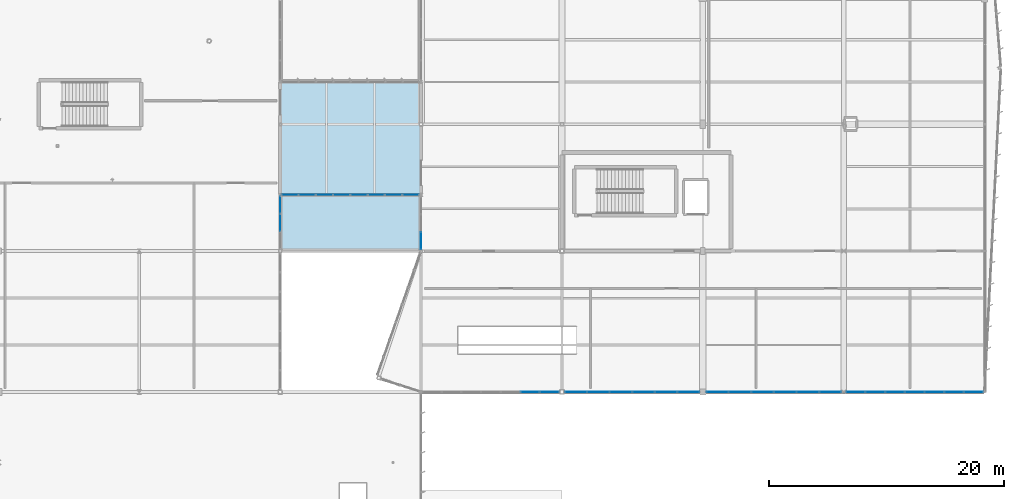
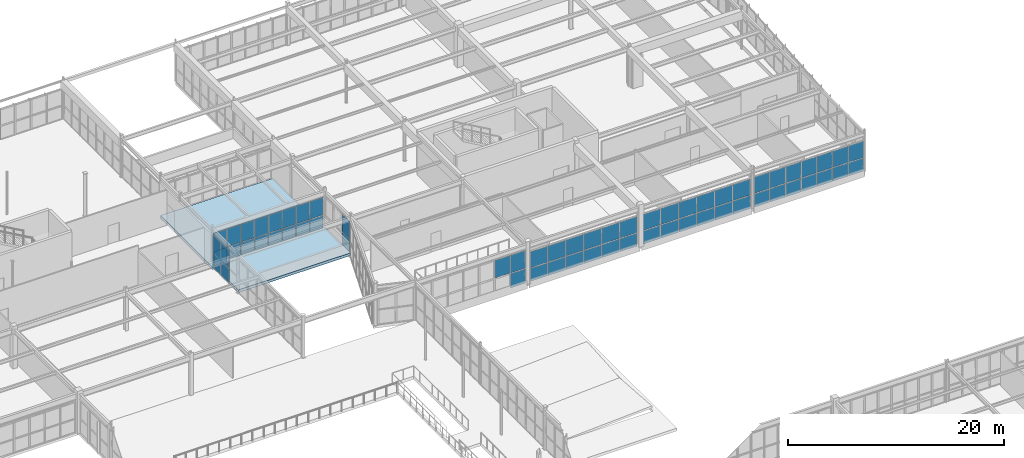
# One storey, part 149 of 226: 63 plates, 2 slabs, 7 elements without a shape of their own.
"""IFC4 building model written with IfcOpenShell, lengths in metres."""

from ifc_helpers import new_model, si_unit, direction, frame, origin, origin_2d, place, context, subcontext, project, spatial, polyline, rectangle, outline, extrude, material, layer, layer_set, type_object, element, aggregate, save


model = new_model("IFC4")

# Units and contexts
model_context = context("Model", 3, precision=1e-05, world=origin(), true_north=direction((0.0, 1.0)))
body_context = subcontext(model_context, "Body", "Model", "MODEL_VIEW")
ifc_project = project(units=[si_unit("LENGTHUNIT", "METRE"), si_unit("AREAUNIT", "SQUARE_METRE"), si_unit("VOLUMEUNIT", "CUBIC_METRE"), si_unit("PLANEANGLEUNIT", "RADIAN"), si_unit("MASSUNIT", "GRAM", prefix="KILO")], contexts=[model_context])

# Site, building, storey
site_placement = place(None, origin())
site = spatial("IfcSite", under=ifc_project, at=site_placement, CompositionType="ELEMENT")
building_placement = place(site_placement, origin())
building = spatial("IfcBuilding", under=site, at=building_placement, Name="Tarnwether General Hospital", CompositionType="ELEMENT")
storey_placement = place(building_placement, frame((0.0, 0.0, 4.800048828125)))
storey = spatial("IfcBuildingStorey", under=building, at=storey_placement, Name="L01", CompositionType="ELEMENT", Elevation=4.800048828125)

# Curtain wall, plates
ifc_material_1 = material(Name="Anodised aluminium", Category="aluminium")
ifc_layer_1 = layer(ifc_material_1, 0.159912109375)
ifc_layer_set_1 = layer_set([ifc_layer_1], Name="Anodised aluminium")
curtain_wall_type_1 = type_object("IfcCurtainWallType", Name="CW-15", PredefinedType="NOTDEFINED", material=ifc_layer_set_1)
curtain_wall_1_placement = place(storey_placement, origin())
curtain_wall_1 = element("IfcCurtainWall", 1, at=curtain_wall_1_placement, inside=storey, type_object=curtain_wall_type_1, Name="Curtain Wall CWG-L01-1320_983-0370", PredefinedType="NOTDEFINED")
ifc_material_2 = material(Name="Double glazed low-E glass", Category="glass")
ifc_layer_2 = layer(ifc_material_2, 0.028076171875)
ifc_layer_set_2 = layer_set([ifc_layer_2], Name="Double glazed low-E glass")
plate_type = type_object("IfcPlateType", Name="PT-CWP1", PredefinedType="CURTAIN_PANEL", material=ifc_layer_set_2)
plate_1_placement = place(storey_placement, frame((132.0, 97.5390625, 0.06005859375), z_axis=(0.0, 0.0, 1.0), x_axis=(0.0, -1.0, 0.0)))
plate_1 = element("IfcPlate", 2, at=plate_1_placement, type_object=plate_type, Name="CW-15 panel 1.1", PredefinedType="CURTAIN_PANEL", context=body_context, shape_type="SweptSolid", body=[
    extrude(rectangle(XDim=1.43359375, YDim=0.028076171875, at=origin_2d()), origin(), (0.0, 0.0, 1.0), 1.628173828125),
])
plate_2_placement = place(storey_placement, frame((132.0, 97.5390625, 1.748046875), z_axis=(0.0, 0.0, 1.0), x_axis=(0.0, -1.0, 0.0)))
plate_2 = element("IfcPlate", 3, at=plate_2_placement, type_object=plate_type, Name="CW-15 panel 1.2", PredefinedType="CURTAIN_PANEL", context=body_context, shape_type="SweptSolid", body=[
    extrude(rectangle(XDim=1.43359375, YDim=0.028076171875, at=origin_2d()), origin(), (0.0, 0.0, 1.0), 2.010009765625),
])
plate_3_placement = place(storey_placement, frame((132.0, 96.030517578125, 0.06005859375), z_axis=(0.0, 0.0, 1.0), x_axis=(0.0, -1.0, 0.0)))
plate_3 = element("IfcPlate", 4, at=plate_3_placement, type_object=plate_type, Name="CW-15 panel 2.1", PredefinedType="CURTAIN_PANEL", context=body_context, shape_type="SweptSolid", body=[
    extrude(rectangle(XDim=1.463623046875, YDim=0.028076171875, at=origin_2d()), origin(), (0.0, 0.0, 1.0), 1.628173828125),
])
plate_4_placement = place(storey_placement, frame((132.0, 96.030517578125, 1.748046875), z_axis=(0.0, 0.0, 1.0), x_axis=(0.0, -1.0, 0.0)))
plate_4 = element("IfcPlate", 5, at=plate_4_placement, type_object=plate_type, Name="CW-15 panel 2.2", PredefinedType="CURTAIN_PANEL", context=body_context, shape_type="SweptSolid", body=[
    extrude(rectangle(XDim=1.463623046875, YDim=0.028076171875, at=origin_2d()), origin(), (0.0, 0.0, 1.0), 2.010009765625),
])
aggregate(curtain_wall_1, [plate_1, plate_2, plate_3, plate_4])

curtain_wall_2_placement = place(storey_placement, origin())
curtain_wall_2 = element("IfcCurtainWall", 6, at=curtain_wall_2_placement, inside=storey, type_object=curtain_wall_type_1, Name="Curtain Wall CWG-L01-1440_937-0374", PredefinedType="NOTDEFINED")
plate_5_placement = place(storey_placement, frame((144.0, 94.47998046875, 0.06005859375), z_axis=(0.0, 0.0, 1.0), x_axis=(0.0, 1.0, 0.0)))
plate_5 = element("IfcPlate", 7, at=plate_5_placement, type_object=plate_type, Name="CW-15 panel 1.1", PredefinedType="CURTAIN_PANEL", context=body_context, shape_type="SweptSolid", body=[
    extrude(rectangle(XDim=1.429931640625, YDim=0.028076171875, at=origin_2d()), origin(), (0.0, 0.0, 1.0), 1.628173828125),
])
plate_6_placement = place(storey_placement, frame((144.0, 94.47998046875, 1.748046875), z_axis=(0.0, 0.0, 1.0), x_axis=(0.0, 1.0, 0.0)))
plate_6 = element("IfcPlate", 8, at=plate_6_placement, type_object=plate_type, Name="CW-15 panel 1.2", PredefinedType="CURTAIN_PANEL", context=body_context, shape_type="SweptSolid", body=[
    extrude(rectangle(XDim=1.429931640625, YDim=0.028076171875, at=origin_2d()), origin(), (0.0, 0.0, 1.0), 2.010009765625),
])
aggregate(curtain_wall_2, [plate_5, plate_6])

ifc_material_3 = material(Name="Anodised aluminium", Category="aluminium")
ifc_layer_3 = layer(ifc_material_3, 0.159912109375)
ifc_layer_set_3 = layer_set([ifc_layer_3], Name="Anodised aluminium")
curtain_wall_type_2 = type_object("IfcCurtainWallType", Name="CW-17", PredefinedType="NOTDEFINED", material=ifc_layer_set_3)
curtain_wall_3_placement = place(storey_placement, origin())
curtain_wall_3 = element("IfcCurtainWall", 9, at=curtain_wall_3_placement, inside=storey, type_object=curtain_wall_type_2, Name="Curtain Wall CWG-L01-1919_816-0393", PredefinedType="NOTDEFINED")
plate_7_placement = place(storey_placement, frame((191.061767578125, 81.60009765625, 0.059814453125), z_axis=(0.0, 0.0, 1.0), x_axis=(-1.0, 0.0, 0.0)))
plate_7 = element("IfcPlate", 10, at=plate_7_placement, type_object=plate_type, Name="CW-17 panel 1.1", PredefinedType="CURTAIN_PANEL", context=body_context, shape_type="SweptSolid", body=[
    extrude(rectangle(XDim=1.588623046875, YDim=0.028076171875, at=origin_2d()), origin(), (0.0, 0.0, 1.0), 1.49853515625),
])
plate_8_placement = place(storey_placement, frame((191.061767578125, 81.60009765625, 1.618408203125), z_axis=(0.0, 0.0, 1.0), x_axis=(-1.0, 0.0, 0.0)))
plate_8 = element("IfcPlate", 11, at=plate_8_placement, type_object=plate_type, Name="CW-17 panel 1.2", PredefinedType="CURTAIN_PANEL", context=body_context, shape_type="SweptSolid", body=[
    extrude(rectangle(XDim=1.588623046875, YDim=0.028076171875, at=origin_2d()), origin(), (0.0, 0.0, 1.0), 1.8515625),
])
plate_9_placement = place(storey_placement, frame((189.398193359375, 81.60009765625, 0.059814453125), z_axis=(0.0, 0.0, 1.0), x_axis=(-1.0, 0.0, 0.0)))
plate_9 = element("IfcPlate", 12, at=plate_9_placement, type_object=plate_type, Name="CW-17 panel 2.1", PredefinedType="CURTAIN_PANEL", context=body_context, shape_type="SweptSolid", body=[
    extrude(rectangle(XDim=1.61865234375, YDim=0.028076171875, at=origin_2d()), origin(), (0.0, 0.0, 1.0), 1.49853515625),
])
plate_10_placement = place(storey_placement, frame((189.398193359375, 81.60009765625, 1.618408203125), z_axis=(0.0, 0.0, 1.0), x_axis=(-1.0, 0.0, 0.0)))
plate_10 = element("IfcPlate", 13, at=plate_10_placement, type_object=plate_type, Name="CW-17 panel 2.2", PredefinedType="CURTAIN_PANEL", context=body_context, shape_type="SweptSolid", body=[
    extrude(rectangle(XDim=1.61865234375, YDim=0.028076171875, at=origin_2d()), origin(), (0.0, 0.0, 1.0), 1.8515625),
])
plate_11_placement = place(storey_placement, frame((187.719482421875, 81.60009765625, 0.059814453125), z_axis=(0.0, 0.0, 1.0), x_axis=(-1.0, 0.0, 0.0)))
plate_11 = element("IfcPlate", 14, at=plate_11_placement, type_object=plate_type, Name="CW-17 panel 3.1", PredefinedType="CURTAIN_PANEL", context=body_context, shape_type="SweptSolid", body=[
    extrude(rectangle(XDim=1.61865234375, YDim=0.028076171875, at=origin_2d()), origin(), (0.0, 0.0, 1.0), 1.49853515625),
])
plate_12_placement = place(storey_placement, frame((187.719482421875, 81.60009765625, 1.618408203125), z_axis=(0.0, 0.0, 1.0), x_axis=(-1.0, 0.0, 0.0)))
plate_12 = element("IfcPlate", 15, at=plate_12_placement, type_object=plate_type, Name="CW-17 panel 3.2", PredefinedType="CURTAIN_PANEL", context=body_context, shape_type="SweptSolid", body=[
    extrude(rectangle(XDim=1.61865234375, YDim=0.028076171875, at=origin_2d()), origin(), (0.0, 0.0, 1.0), 1.8515625),
])
plate_13_placement = place(storey_placement, frame((186.041015625, 81.60009765625, 0.059814453125), z_axis=(0.0, 0.0, 1.0), x_axis=(-1.0, 0.0, 0.0)))
plate_13 = element("IfcPlate", 16, at=plate_13_placement, type_object=plate_type, Name="CW-17 panel 4.1", PredefinedType="CURTAIN_PANEL", context=body_context, shape_type="SweptSolid", body=[
    extrude(rectangle(XDim=1.61865234375, YDim=0.028076171875, at=origin_2d()), origin(), (0.0, 0.0, 1.0), 1.49853515625),
])
plate_14_placement = place(storey_placement, frame((186.041015625, 81.60009765625, 1.618408203125), z_axis=(0.0, 0.0, 1.0), x_axis=(-1.0, 0.0, 0.0)))
plate_14 = element("IfcPlate", 17, at=plate_14_placement, type_object=plate_type, Name="CW-17 panel 4.2", PredefinedType="CURTAIN_PANEL", context=body_context, shape_type="SweptSolid", body=[
    extrude(rectangle(XDim=1.61865234375, YDim=0.028076171875, at=origin_2d()), origin(), (0.0, 0.0, 1.0), 1.8515625),
])
plate_15_placement = place(storey_placement, frame((184.362548828125, 81.60009765625, 0.059814453125), z_axis=(0.0, 0.0, 1.0), x_axis=(-1.0, 0.0, 0.0)))
plate_15 = element("IfcPlate", 18, at=plate_15_placement, type_object=plate_type, Name="CW-17 panel 5.1", PredefinedType="CURTAIN_PANEL", context=body_context, shape_type="SweptSolid", body=[
    extrude(rectangle(XDim=1.61865234375, YDim=0.028076171875, at=origin_2d()), origin(), (0.0, 0.0, 1.0), 1.49853515625),
])
plate_16_placement = place(storey_placement, frame((184.362548828125, 81.60009765625, 1.618408203125), z_axis=(0.0, 0.0, 1.0), x_axis=(-1.0, 0.0, 0.0)))
plate_16 = element("IfcPlate", 19, at=plate_16_placement, type_object=plate_type, Name="CW-17 panel 5.2", PredefinedType="CURTAIN_PANEL", context=body_context, shape_type="SweptSolid", body=[
    extrude(rectangle(XDim=1.61865234375, YDim=0.028076171875, at=origin_2d()), origin(), (0.0, 0.0, 1.0), 1.8515625),
])
plate_17_placement = place(storey_placement, frame((182.683837890625, 81.60009765625, 0.059814453125), z_axis=(0.0, 0.0, 1.0), x_axis=(-1.0, 0.0, 0.0)))
plate_17 = element("IfcPlate", 20, at=plate_17_placement, type_object=plate_type, Name="CW-17 panel 6.1", PredefinedType="CURTAIN_PANEL", context=body_context, shape_type="SweptSolid", body=[
    extrude(rectangle(XDim=1.61865234375, YDim=0.028076171875, at=origin_2d()), origin(), (0.0, 0.0, 1.0), 1.49853515625),
])
plate_18_placement = place(storey_placement, frame((182.683837890625, 81.60009765625, 1.618408203125), z_axis=(0.0, 0.0, 1.0), x_axis=(-1.0, 0.0, 0.0)))
plate_18 = element("IfcPlate", 21, at=plate_18_placement, type_object=plate_type, Name="CW-17 panel 6.2", PredefinedType="CURTAIN_PANEL", context=body_context, shape_type="SweptSolid", body=[
    extrude(rectangle(XDim=1.61865234375, YDim=0.028076171875, at=origin_2d()), origin(), (0.0, 0.0, 1.0), 1.8515625),
])
plate_19_placement = place(storey_placement, frame((181.020263671875, 81.60009765625, 0.059814453125), z_axis=(0.0, 0.0, 1.0), x_axis=(-1.0, 0.0, 0.0)))
plate_19 = element("IfcPlate", 22, at=plate_19_placement, type_object=plate_type, Name="CW-17 panel 7.1", PredefinedType="CURTAIN_PANEL", context=body_context, shape_type="SweptSolid", body=[
    extrude(rectangle(XDim=1.588623046875, YDim=0.028076171875, at=origin_2d()), origin(), (0.0, 0.0, 1.0), 1.49853515625),
])
plate_20_placement = place(storey_placement, frame((181.020263671875, 81.60009765625, 1.618408203125), z_axis=(0.0, 0.0, 1.0), x_axis=(-1.0, 0.0, 0.0)))
plate_20 = element("IfcPlate", 23, at=plate_20_placement, type_object=plate_type, Name="CW-17 panel 7.2", PredefinedType="CURTAIN_PANEL", context=body_context, shape_type="SweptSolid", body=[
    extrude(rectangle(XDim=1.588623046875, YDim=0.028076171875, at=origin_2d()), origin(), (0.0, 0.0, 1.0), 1.8515625),
])
aggregate(curtain_wall_3, [plate_7, plate_8, plate_9, plate_10, plate_11, plate_12, plate_13, plate_14, plate_15, plate_16, plate_17, plate_18, plate_19, plate_20])

curtain_wall_4_placement = place(storey_placement, origin())
curtain_wall_4 = element("IfcCurtainWall", 24, at=curtain_wall_4_placement, inside=storey, type_object=curtain_wall_type_2, Name="Curtain Wall CWG-L01-1798_816-0394", PredefinedType="NOTDEFINED")
plate_21_placement = place(storey_placement, frame((178.854248046875, 81.60009765625, 0.059814453125), z_axis=(0.0, 0.0, 1.0), x_axis=(-1.0, 0.0, 0.0)))
plate_21 = element("IfcPlate", 25, at=plate_21_placement, type_object=plate_type, Name="CW-17 panel 1.1", PredefinedType="CURTAIN_PANEL", context=body_context, shape_type="SweptSolid", body=[
    extrude(rectangle(XDim=1.83935546875, YDim=0.028076171875, at=origin_2d()), origin(), (0.0, 0.0, 1.0), 1.47607421875),
])
plate_22_placement = place(storey_placement, frame((178.854248046875, 81.60009765625, 1.59619140625), z_axis=(0.0, 0.0, 1.0), x_axis=(-1.0, 0.0, 0.0)))
plate_22 = element("IfcPlate", 26, at=plate_22_placement, type_object=plate_type, Name="CW-17 panel 1.2", PredefinedType="CURTAIN_PANEL", context=body_context, shape_type="SweptSolid", body=[
    extrude(rectangle(XDim=1.83935546875, YDim=0.028076171875, at=origin_2d()), origin(), (0.0, 0.0, 1.0), 1.823974609375),
])
plate_23_placement = place(storey_placement, frame((176.93994140625, 81.60009765625, 0.059814453125), z_axis=(0.0, 0.0, 1.0), x_axis=(-1.0, 0.0, 0.0)))
plate_23 = element("IfcPlate", 27, at=plate_23_placement, type_object=plate_type, Name="CW-17 panel 2.1", PredefinedType="CURTAIN_PANEL", context=body_context, shape_type="SweptSolid", body=[
    extrude(rectangle(XDim=1.869384765625, YDim=0.028076171875, at=origin_2d()), origin(), (0.0, 0.0, 1.0), 1.47607421875),
])
plate_24_placement = place(storey_placement, frame((176.93994140625, 81.60009765625, 1.59619140625), z_axis=(0.0, 0.0, 1.0), x_axis=(-1.0, 0.0, 0.0)))
plate_24 = element("IfcPlate", 28, at=plate_24_placement, type_object=plate_type, Name="CW-17 panel 2.2", PredefinedType="CURTAIN_PANEL", context=body_context, shape_type="SweptSolid", body=[
    extrude(rectangle(XDim=1.869384765625, YDim=0.028076171875, at=origin_2d()), origin(), (0.0, 0.0, 1.0), 1.823974609375),
])
plate_25_placement = place(storey_placement, frame((175.0107421875, 81.60009765625, 0.059814453125), z_axis=(0.0, 0.0, 1.0), x_axis=(-1.0, 0.0, 0.0)))
plate_25 = element("IfcPlate", 29, at=plate_25_placement, type_object=plate_type, Name="CW-17 panel 3.1", PredefinedType="CURTAIN_PANEL", context=body_context, shape_type="SweptSolid", body=[
    extrude(rectangle(XDim=1.869384765625, YDim=0.028076171875, at=origin_2d()), origin(), (0.0, 0.0, 1.0), 1.47607421875),
])
plate_26_placement = place(storey_placement, frame((175.0107421875, 81.60009765625, 1.59619140625), z_axis=(0.0, 0.0, 1.0), x_axis=(-1.0, 0.0, 0.0)))
plate_26 = element("IfcPlate", 30, at=plate_26_placement, type_object=plate_type, Name="CW-17 panel 3.2", PredefinedType="CURTAIN_PANEL", context=body_context, shape_type="SweptSolid", body=[
    extrude(rectangle(XDim=1.869384765625, YDim=0.028076171875, at=origin_2d()), origin(), (0.0, 0.0, 1.0), 1.823974609375),
])
plate_27_placement = place(storey_placement, frame((173.081298828125, 81.60009765625, 0.059814453125), z_axis=(0.0, 0.0, 1.0), x_axis=(-1.0, 0.0, 0.0)))
plate_27 = element("IfcPlate", 31, at=plate_27_placement, type_object=plate_type, Name="CW-17 panel 4.1", PredefinedType="CURTAIN_PANEL", context=body_context, shape_type="SweptSolid", body=[
    extrude(rectangle(XDim=1.869384765625, YDim=0.028076171875, at=origin_2d()), origin(), (0.0, 0.0, 1.0), 1.47607421875),
])
plate_28_placement = place(storey_placement, frame((173.081298828125, 81.60009765625, 1.59619140625), z_axis=(0.0, 0.0, 1.0), x_axis=(-1.0, 0.0, 0.0)))
plate_28 = element("IfcPlate", 32, at=plate_28_placement, type_object=plate_type, Name="CW-17 panel 4.2", PredefinedType="CURTAIN_PANEL", context=body_context, shape_type="SweptSolid", body=[
    extrude(rectangle(XDim=1.869384765625, YDim=0.028076171875, at=origin_2d()), origin(), (0.0, 0.0, 1.0), 1.823974609375),
])
plate_29_placement = place(storey_placement, frame((171.152099609375, 81.60009765625, 0.059814453125), z_axis=(0.0, 0.0, 1.0), x_axis=(-1.0, 0.0, 0.0)))
plate_29 = element("IfcPlate", 33, at=plate_29_placement, type_object=plate_type, Name="CW-17 panel 5.1", PredefinedType="CURTAIN_PANEL", context=body_context, shape_type="SweptSolid", body=[
    extrude(rectangle(XDim=1.869384765625, YDim=0.028076171875, at=origin_2d()), origin(), (0.0, 0.0, 1.0), 1.47607421875),
])
plate_30_placement = place(storey_placement, frame((171.152099609375, 81.60009765625, 1.59619140625), z_axis=(0.0, 0.0, 1.0), x_axis=(-1.0, 0.0, 0.0)))
plate_30 = element("IfcPlate", 34, at=plate_30_placement, type_object=plate_type, Name="CW-17 panel 5.2", PredefinedType="CURTAIN_PANEL", context=body_context, shape_type="SweptSolid", body=[
    extrude(rectangle(XDim=1.869384765625, YDim=0.028076171875, at=origin_2d()), origin(), (0.0, 0.0, 1.0), 1.823974609375),
])
plate_31_placement = place(storey_placement, frame((169.237548828125, 81.60009765625, 0.059814453125), z_axis=(0.0, 0.0, 1.0), x_axis=(-1.0, 0.0, 0.0)))
plate_31 = element("IfcPlate", 35, at=plate_31_placement, type_object=plate_type, Name="CW-17 panel 6.1", PredefinedType="CURTAIN_PANEL", context=body_context, shape_type="SweptSolid", body=[
    extrude(rectangle(XDim=1.83935546875, YDim=0.028076171875, at=origin_2d()), origin(), (0.0, 0.0, 1.0), 1.47607421875),
])
plate_32_placement = place(storey_placement, frame((169.237548828125, 81.60009765625, 1.59619140625), z_axis=(0.0, 0.0, 1.0), x_axis=(-1.0, 0.0, 0.0)))
plate_32 = element("IfcPlate", 36, at=plate_32_placement, type_object=plate_type, Name="CW-17 panel 6.2", PredefinedType="CURTAIN_PANEL", context=body_context, shape_type="SweptSolid", body=[
    extrude(rectangle(XDim=1.83935546875, YDim=0.028076171875, at=origin_2d()), origin(), (0.0, 0.0, 1.0), 1.823974609375),
])
aggregate(curtain_wall_4, [plate_21, plate_22, plate_23, plate_24, plate_25, plate_26, plate_27, plate_28, plate_29, plate_30, plate_31, plate_32])

curtain_wall_5_placement = place(storey_placement, origin())
curtain_wall_5 = element("IfcCurtainWall", 37, at=curtain_wall_5_placement, inside=storey, type_object=curtain_wall_type_2, Name="Curtain Wall CWG-L01-1677_816-0395", PredefinedType="NOTDEFINED")
plate_33_placement = place(storey_placement, frame((166.76611328125, 81.60009765625, 0.059814453125), z_axis=(0.0, 0.0, 1.0), x_axis=(-1.0, 0.0, 0.0)))
plate_33 = element("IfcPlate", 38, at=plate_33_placement, type_object=plate_type, Name="CW-17 panel 1.1", PredefinedType="CURTAIN_PANEL", context=body_context, shape_type="SweptSolid", body=[
    extrude(rectangle(XDim=1.831787109375, YDim=0.028076171875, at=origin_2d()), origin(), (0.0, 0.0, 1.0), 1.47607421875),
])
plate_34_placement = place(storey_placement, frame((166.76611328125, 81.60009765625, 1.59619140625), z_axis=(0.0, 0.0, 1.0), x_axis=(-1.0, 0.0, 0.0)))
plate_34 = element("IfcPlate", 39, at=plate_34_placement, type_object=plate_type, Name="CW-17 panel 1.2", PredefinedType="CURTAIN_PANEL", context=body_context, shape_type="SweptSolid", body=[
    extrude(rectangle(XDim=1.831787109375, YDim=0.028076171875, at=origin_2d()), origin(), (0.0, 0.0, 1.0), 1.823974609375),
])
plate_35_placement = place(storey_placement, frame((164.859130859375, 81.60009765625, 0.059814453125), z_axis=(0.0, 0.0, 1.0), x_axis=(-1.0, 0.0, 0.0)))
plate_35 = element("IfcPlate", 40, at=plate_35_placement, type_object=plate_type, Name="CW-17 panel 2.1", PredefinedType="CURTAIN_PANEL", context=body_context, shape_type="SweptSolid", body=[
    extrude(rectangle(XDim=1.86181640625, YDim=0.028076171875, at=origin_2d()), origin(), (0.0, 0.0, 1.0), 1.47607421875),
])
plate_36_placement = place(storey_placement, frame((164.859130859375, 81.60009765625, 1.59619140625), z_axis=(0.0, 0.0, 1.0), x_axis=(-1.0, 0.0, 0.0)))
plate_36 = element("IfcPlate", 41, at=plate_36_placement, type_object=plate_type, Name="CW-17 panel 2.2", PredefinedType="CURTAIN_PANEL", context=body_context, shape_type="SweptSolid", body=[
    extrude(rectangle(XDim=1.86181640625, YDim=0.028076171875, at=origin_2d()), origin(), (0.0, 0.0, 1.0), 1.823974609375),
])
plate_37_placement = place(storey_placement, frame((162.9375, 81.60009765625, 0.059814453125), z_axis=(0.0, 0.0, 1.0), x_axis=(-1.0, 0.0, 0.0)))
plate_37 = element("IfcPlate", 42, at=plate_37_placement, type_object=plate_type, Name="CW-17 panel 3.1", PredefinedType="CURTAIN_PANEL", context=body_context, shape_type="SweptSolid", body=[
    extrude(rectangle(XDim=1.86181640625, YDim=0.028076171875, at=origin_2d()), origin(), (0.0, 0.0, 1.0), 1.47607421875),
])
plate_38_placement = place(storey_placement, frame((162.9375, 81.60009765625, 1.59619140625), z_axis=(0.0, 0.0, 1.0), x_axis=(-1.0, 0.0, 0.0)))
plate_38 = element("IfcPlate", 43, at=plate_38_placement, type_object=plate_type, Name="CW-17 panel 3.2", PredefinedType="CURTAIN_PANEL", context=body_context, shape_type="SweptSolid", body=[
    extrude(rectangle(XDim=1.86181640625, YDim=0.028076171875, at=origin_2d()), origin(), (0.0, 0.0, 1.0), 1.823974609375),
])
plate_39_placement = place(storey_placement, frame((161.015625, 81.60009765625, 0.059814453125), z_axis=(0.0, 0.0, 1.0), x_axis=(-1.0, 0.0, 0.0)))
plate_39 = element("IfcPlate", 44, at=plate_39_placement, type_object=plate_type, Name="CW-17 panel 4.1", PredefinedType="CURTAIN_PANEL", context=body_context, shape_type="SweptSolid", body=[
    extrude(rectangle(XDim=1.86181640625, YDim=0.028076171875, at=origin_2d()), origin(), (0.0, 0.0, 1.0), 1.47607421875),
])
plate_40_placement = place(storey_placement, frame((161.015625, 81.60009765625, 1.59619140625), z_axis=(0.0, 0.0, 1.0), x_axis=(-1.0, 0.0, 0.0)))
plate_40 = element("IfcPlate", 45, at=plate_40_placement, type_object=plate_type, Name="CW-17 panel 4.2", PredefinedType="CURTAIN_PANEL", context=body_context, shape_type="SweptSolid", body=[
    extrude(rectangle(XDim=1.86181640625, YDim=0.028076171875, at=origin_2d()), origin(), (0.0, 0.0, 1.0), 1.823974609375),
])
plate_41_placement = place(storey_placement, frame((159.09375, 81.60009765625, 0.059814453125), z_axis=(0.0, 0.0, 1.0), x_axis=(-1.0, 0.0, 0.0)))
plate_41 = element("IfcPlate", 46, at=plate_41_placement, type_object=plate_type, Name="CW-17 panel 5.1", PredefinedType="CURTAIN_PANEL", context=body_context, shape_type="SweptSolid", body=[
    extrude(rectangle(XDim=1.86181640625, YDim=0.028076171875, at=origin_2d()), origin(), (0.0, 0.0, 1.0), 1.47607421875),
])
plate_42_placement = place(storey_placement, frame((159.09375, 81.60009765625, 1.59619140625), z_axis=(0.0, 0.0, 1.0), x_axis=(-1.0, 0.0, 0.0)))
plate_42 = element("IfcPlate", 47, at=plate_42_placement, type_object=plate_type, Name="CW-17 panel 5.2", PredefinedType="CURTAIN_PANEL", context=body_context, shape_type="SweptSolid", body=[
    extrude(rectangle(XDim=1.86181640625, YDim=0.028076171875, at=origin_2d()), origin(), (0.0, 0.0, 1.0), 1.823974609375),
])
plate_43_placement = place(storey_placement, frame((157.18701171875, 81.60009765625, 0.059814453125), z_axis=(0.0, 0.0, 1.0), x_axis=(-1.0, 0.0, 0.0)))
plate_43 = element("IfcPlate", 48, at=plate_43_placement, type_object=plate_type, Name="CW-17 panel 6.1", PredefinedType="CURTAIN_PANEL", context=body_context, shape_type="SweptSolid", body=[
    extrude(rectangle(XDim=1.831787109375, YDim=0.028076171875, at=origin_2d()), origin(), (0.0, 0.0, 1.0), 1.47607421875),
])
plate_44_placement = place(storey_placement, frame((157.18701171875, 81.60009765625, 1.59619140625), z_axis=(0.0, 0.0, 1.0), x_axis=(-1.0, 0.0, 0.0)))
plate_44 = element("IfcPlate", 49, at=plate_44_placement, type_object=plate_type, Name="CW-17 panel 6.2", PredefinedType="CURTAIN_PANEL", context=body_context, shape_type="SweptSolid", body=[
    extrude(rectangle(XDim=1.831787109375, YDim=0.028076171875, at=origin_2d()), origin(), (0.0, 0.0, 1.0), 1.823974609375),
])
aggregate(curtain_wall_5, [plate_33, plate_34, plate_35, plate_36, plate_37, plate_38, plate_39, plate_40, plate_41, plate_42, plate_43, plate_44])

curtain_wall_6_placement = place(storey_placement, origin())
curtain_wall_6 = element("IfcCurtainWall", 50, at=curtain_wall_6_placement, inside=storey, type_object=curtain_wall_type_2, Name="Curtain Wall CWG-L01-1558_816-0396", PredefinedType="NOTDEFINED")
plate_45_placement = place(storey_placement, frame((154.93798828125, 81.60009765625, 0.06005859375), z_axis=(0.0, 0.0, 1.0), x_axis=(-1.0, 0.0, 0.0)))
plate_45 = element("IfcPlate", 51, at=plate_45_placement, type_object=plate_type, Name="CW-17 panel 1.1", PredefinedType="CURTAIN_PANEL", context=body_context, shape_type="SweptSolid", body=[
    extrude(rectangle(XDim=1.58203125, YDim=0.028076171875, at=origin_2d()), origin(), (0.0, 0.0, 1.0), 1.632568359375),
])
plate_46_placement = place(storey_placement, frame((154.93798828125, 81.60009765625, 1.75244140625), z_axis=(0.0, 0.0, 1.0), x_axis=(-1.0, 0.0, 0.0)))
plate_46 = element("IfcPlate", 52, at=plate_46_placement, type_object=plate_type, Name="CW-17 panel 1.2", PredefinedType="CURTAIN_PANEL", context=body_context, shape_type="SweptSolid", body=[
    extrude(rectangle(XDim=1.58203125, YDim=0.028076171875, at=origin_2d()), origin(), (0.0, 0.0, 1.0), 2.015380859375),
])
plate_47_placement = place(storey_placement, frame((153.281005859375, 81.60009765625, 1.75244140625), z_axis=(0.0, 0.0, 1.0), x_axis=(-1.0, 0.0, 0.0)))
plate_47 = element("IfcPlate", 53, at=plate_47_placement, type_object=plate_type, Name="CW-17 panel 2.2", PredefinedType="CURTAIN_PANEL", context=body_context, shape_type="SweptSolid", body=[
    extrude(rectangle(XDim=1.612060546875, YDim=0.028076171875, at=origin_2d()), origin(), (0.0, 0.0, 1.0), 2.015380859375),
])
aggregate(curtain_wall_6, [plate_45, plate_46, plate_47])

ifc_material_4 = material(Name="Anodised aluminium", Category="aluminium")
ifc_layer_4 = layer(ifc_material_4, 0.159912109375)
ifc_layer_set_4 = layer_set([ifc_layer_4], Name="Anodised aluminium")
curtain_wall_type_3 = type_object("IfcCurtainWallType", Name="CW-22", PredefinedType="NOTDEFINED", material=ifc_layer_set_4)
curtain_wall_7_placement = place(storey_placement, origin())
curtain_wall_7 = element("IfcCurtainWall", 54, at=curtain_wall_7_placement, inside=storey, type_object=curtain_wall_type_3, Name="Curtain Wall CWG-L01-1439_984-0402", PredefinedType="NOTDEFINED")
plate_48_placement = place(storey_placement, frame((143.11376953125, 98.39990234375, 0.06005859375), z_axis=(0.0, 0.0, 1.0), x_axis=(-1.0, 0.0, 0.0)))
plate_48 = element("IfcPlate", 55, at=plate_48_placement, type_object=plate_type, Name="CW-22 panel 1.1", PredefinedType="CURTAIN_PANEL", context=body_context, shape_type="SweptSolid", body=[
    extrude(rectangle(XDim=1.382568359375, YDim=0.028076171875, at=origin_2d()), origin(), (0.0, 0.0, 1.0), 1.628173828125),
])
plate_49_placement = place(storey_placement, frame((143.11376953125, 98.39990234375, 1.748046875), z_axis=(0.0, 0.0, 1.0), x_axis=(-1.0, 0.0, 0.0)))
plate_49 = element("IfcPlate", 56, at=plate_49_placement, type_object=plate_type, Name="CW-22 panel 1.2", PredefinedType="CURTAIN_PANEL", context=body_context, shape_type="SweptSolid", body=[
    extrude(rectangle(XDim=1.382568359375, YDim=0.028076171875, at=origin_2d()), origin(), (0.0, 0.0, 1.0), 2.010009765625),
])
plate_50_placement = place(storey_placement, frame((141.656005859375, 98.39990234375, 0.06005859375), z_axis=(0.0, 0.0, 1.0), x_axis=(-1.0, 0.0, 0.0)))
plate_50 = element("IfcPlate", 57, at=plate_50_placement, type_object=plate_type, Name="CW-22 panel 2.1", PredefinedType="CURTAIN_PANEL", context=body_context, shape_type="SweptSolid", body=[
    extrude(rectangle(XDim=1.41259765625, YDim=0.028076171875, at=origin_2d()), origin(), (0.0, 0.0, 1.0), 1.628173828125),
])
plate_51_placement = place(storey_placement, frame((141.656005859375, 98.39990234375, 1.748046875), z_axis=(0.0, 0.0, 1.0), x_axis=(-1.0, 0.0, 0.0)))
plate_51 = element("IfcPlate", 58, at=plate_51_placement, type_object=plate_type, Name="CW-22 panel 2.2", PredefinedType="CURTAIN_PANEL", context=body_context, shape_type="SweptSolid", body=[
    extrude(rectangle(XDim=1.41259765625, YDim=0.028076171875, at=origin_2d()), origin(), (0.0, 0.0, 1.0), 2.010009765625),
])
plate_52_placement = place(storey_placement, frame((140.183349609375, 98.39990234375, 0.06005859375), z_axis=(0.0, 0.0, 1.0), x_axis=(-1.0, 0.0, 0.0)))
plate_52 = element("IfcPlate", 59, at=plate_52_placement, type_object=plate_type, Name="CW-22 panel 3.1", PredefinedType="CURTAIN_PANEL", context=body_context, shape_type="SweptSolid", body=[
    extrude(rectangle(XDim=1.41259765625, YDim=0.028076171875, at=origin_2d()), origin(), (0.0, 0.0, 1.0), 1.628173828125),
])
plate_53_placement = place(storey_placement, frame((140.183349609375, 98.39990234375, 1.748046875), z_axis=(0.0, 0.0, 1.0), x_axis=(-1.0, 0.0, 0.0)))
plate_53 = element("IfcPlate", 60, at=plate_53_placement, type_object=plate_type, Name="CW-22 panel 3.2", PredefinedType="CURTAIN_PANEL", context=body_context, shape_type="SweptSolid", body=[
    extrude(rectangle(XDim=1.41259765625, YDim=0.028076171875, at=origin_2d()), origin(), (0.0, 0.0, 1.0), 2.010009765625),
])
plate_54_placement = place(storey_placement, frame((138.710693359375, 98.39990234375, 0.06005859375), z_axis=(0.0, 0.0, 1.0), x_axis=(-1.0, 0.0, 0.0)))
plate_54 = element("IfcPlate", 61, at=plate_54_placement, type_object=plate_type, Name="CW-22 panel 4.1", PredefinedType="CURTAIN_PANEL", context=body_context, shape_type="SweptSolid", body=[
    extrude(rectangle(XDim=1.41259765625, YDim=0.028076171875, at=origin_2d()), origin(), (0.0, 0.0, 1.0), 1.628173828125),
])
plate_55_placement = place(storey_placement, frame((138.710693359375, 98.39990234375, 1.748046875), z_axis=(0.0, 0.0, 1.0), x_axis=(-1.0, 0.0, 0.0)))
plate_55 = element("IfcPlate", 62, at=plate_55_placement, type_object=plate_type, Name="CW-22 panel 4.2", PredefinedType="CURTAIN_PANEL", context=body_context, shape_type="SweptSolid", body=[
    extrude(rectangle(XDim=1.41259765625, YDim=0.028076171875, at=origin_2d()), origin(), (0.0, 0.0, 1.0), 2.010009765625),
])
plate_56_placement = place(storey_placement, frame((137.23828125, 98.39990234375, 0.06005859375), z_axis=(0.0, 0.0, 1.0), x_axis=(-1.0, 0.0, 0.0)))
plate_56 = element("IfcPlate", 63, at=plate_56_placement, type_object=plate_type, Name="CW-22 panel 5.1", PredefinedType="CURTAIN_PANEL", context=body_context, shape_type="SweptSolid", body=[
    extrude(rectangle(XDim=1.41259765625, YDim=0.028076171875, at=origin_2d()), origin(), (0.0, 0.0, 1.0), 1.628173828125),
])
plate_57_placement = place(storey_placement, frame((137.23828125, 98.39990234375, 1.748046875), z_axis=(0.0, 0.0, 1.0), x_axis=(-1.0, 0.0, 0.0)))
plate_57 = element("IfcPlate", 64, at=plate_57_placement, type_object=plate_type, Name="CW-22 panel 5.2", PredefinedType="CURTAIN_PANEL", context=body_context, shape_type="SweptSolid", body=[
    extrude(rectangle(XDim=1.41259765625, YDim=0.028076171875, at=origin_2d()), origin(), (0.0, 0.0, 1.0), 2.010009765625),
])
plate_58_placement = place(storey_placement, frame((135.765625, 98.39990234375, 0.06005859375), z_axis=(0.0, 0.0, 1.0), x_axis=(-1.0, 0.0, 0.0)))
plate_58 = element("IfcPlate", 65, at=plate_58_placement, type_object=plate_type, Name="CW-22 panel 6.1", PredefinedType="CURTAIN_PANEL", context=body_context, shape_type="SweptSolid", body=[
    extrude(rectangle(XDim=1.41259765625, YDim=0.028076171875, at=origin_2d()), origin(), (0.0, 0.0, 1.0), 1.628173828125),
])
plate_59_placement = place(storey_placement, frame((135.765625, 98.39990234375, 1.748046875), z_axis=(0.0, 0.0, 1.0), x_axis=(-1.0, 0.0, 0.0)))
plate_59 = element("IfcPlate", 66, at=plate_59_placement, type_object=plate_type, Name="CW-22 panel 6.2", PredefinedType="CURTAIN_PANEL", context=body_context, shape_type="SweptSolid", body=[
    extrude(rectangle(XDim=1.41259765625, YDim=0.028076171875, at=origin_2d()), origin(), (0.0, 0.0, 1.0), 2.010009765625),
])
plate_60_placement = place(storey_placement, frame((134.29296875, 98.39990234375, 0.06005859375), z_axis=(0.0, 0.0, 1.0), x_axis=(-1.0, 0.0, 0.0)))
plate_60 = element("IfcPlate", 67, at=plate_60_placement, type_object=plate_type, Name="CW-22 panel 7.1", PredefinedType="CURTAIN_PANEL", context=body_context, shape_type="SweptSolid", body=[
    extrude(rectangle(XDim=1.41259765625, YDim=0.028076171875, at=origin_2d()), origin(), (0.0, 0.0, 1.0), 1.628173828125),
])
plate_61_placement = place(storey_placement, frame((134.29296875, 98.39990234375, 1.748046875), z_axis=(0.0, 0.0, 1.0), x_axis=(-1.0, 0.0, 0.0)))
plate_61 = element("IfcPlate", 68, at=plate_61_placement, type_object=plate_type, Name="CW-22 panel 7.2", PredefinedType="CURTAIN_PANEL", context=body_context, shape_type="SweptSolid", body=[
    extrude(rectangle(XDim=1.41259765625, YDim=0.028076171875, at=origin_2d()), origin(), (0.0, 0.0, 1.0), 2.010009765625),
])
plate_62_placement = place(storey_placement, frame((132.835205078125, 98.39990234375, 0.06005859375), z_axis=(0.0, 0.0, 1.0), x_axis=(-1.0, 0.0, 0.0)))
plate_62 = element("IfcPlate", 69, at=plate_62_placement, type_object=plate_type, Name="CW-22 panel 8.1", PredefinedType="CURTAIN_PANEL", context=body_context, shape_type="SweptSolid", body=[
    extrude(rectangle(XDim=1.382568359375, YDim=0.028076171875, at=origin_2d()), origin(), (0.0, 0.0, 1.0), 1.628173828125),
])
plate_63_placement = place(storey_placement, frame((132.835205078125, 98.39990234375, 1.748046875), z_axis=(0.0, 0.0, 1.0), x_axis=(-1.0, 0.0, 0.0)))
plate_63 = element("IfcPlate", 70, at=plate_63_placement, type_object=plate_type, Name="CW-22 panel 8.2", PredefinedType="CURTAIN_PANEL", context=body_context, shape_type="SweptSolid", body=[
    extrude(rectangle(XDim=1.382568359375, YDim=0.028076171875, at=origin_2d()), origin(), (0.0, 0.0, 1.0), 2.010009765625),
])
aggregate(curtain_wall_7, [plate_48, plate_49, plate_50, plate_51, plate_52, plate_53, plate_54, plate_55, plate_56, plate_57, plate_58, plate_59, plate_60, plate_61, plate_62, plate_63])

# Slabs
ifc_material_5 = material(Name="Concrete 40 MPa", Category="concrete")
ifc_layer_5 = layer(ifc_material_5, 0.35498046875)
ifc_layer_set_5 = layer_set([ifc_layer_5], Name="Concrete 40 MPa")
slab_type_1 = type_object("IfcSlabType", Name="SL-FL220", PredefinedType="FLOOR", material=ifc_layer_set_5)
slab_1_placement = place(storey_placement, frame((0.0, 0.0, -0.35498046875)))
element("IfcSlab", 71, at=slab_1_placement, inside=storey, type_object=slab_type_1, Name="L01 North Court Link Bridge Floor SL-L01-BRN", PredefinedType="FLOOR", context=body_context, shape_type="SweptSolid", body=[
    extrude(outline(polyline([(144.0, 98.39990234375), (144.0, 108.0), (132.0, 108.0), (132.0, 98.39990234375), (144.0, 98.39990234375)])), origin(), (0.0, 0.0, 1.0), 0.35498046875),
])
ifc_material_6 = material(Name="Concrete 40 MPa", Category="concrete")
ifc_layer_6 = layer(ifc_material_6, 0.31005859375)
ifc_layer_set_6 = layer_set([ifc_layer_6], Name="Concrete 40 MPa")
slab_type_2 = type_object("IfcSlabType", Name="SL-RF160", PredefinedType="ROOF", material=ifc_layer_set_6)
slab_2_placement = place(storey_placement, origin())
element("IfcSlab", 72, at=slab_2_placement, inside=storey, type_object=slab_type_2, Name="North Public Passage Roof South SL-L01-PASRFN1", PredefinedType="ROOF", context=body_context, shape_type="SweptSolid", body=[
    extrude(outline(polyline([(144.0, 93.60009765625), (144.0, 98.39990234375), (132.0, 98.39990234375), (132.0, 93.60009765625), (144.0, 93.60009765625)])), origin(), (0.0, 0.0, 1.0), 0.31005859375),
])

save(model, "model.ifc")
